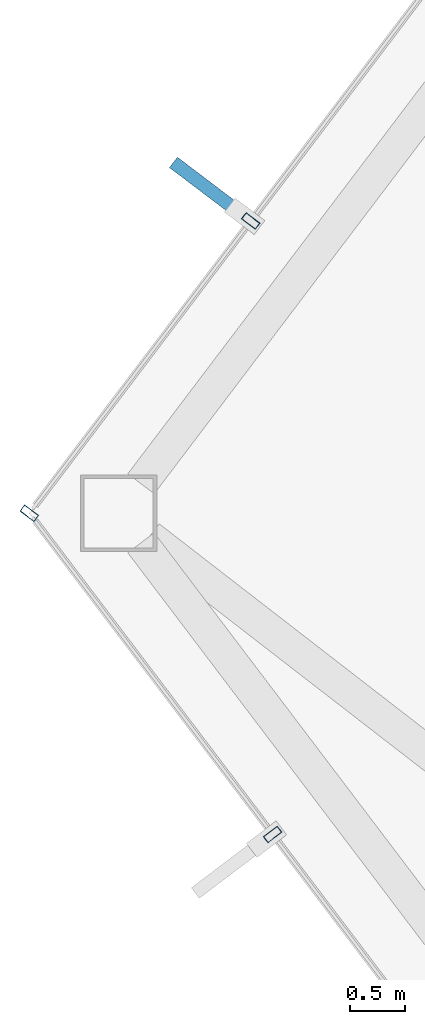
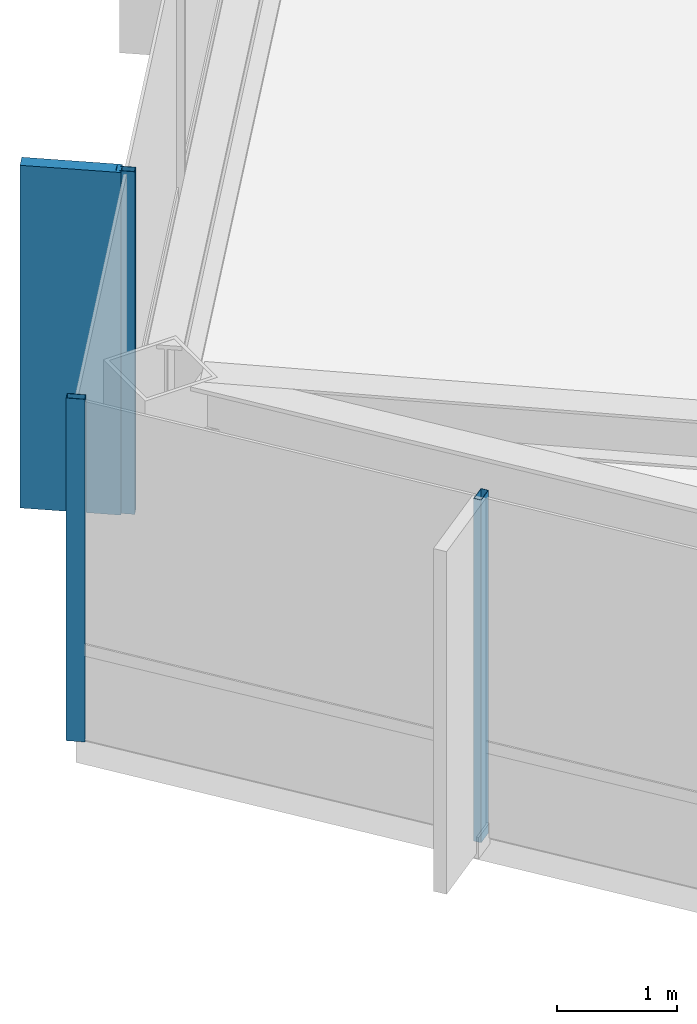
# One storey, part 10 of 28: 4 members, 2 elements without a shape of their own.
"""IFC4 building model written with IfcOpenShell, lengths in metres."""

from ifc_helpers import new_model, si_unit, direction, frame, origin, origin_2d, place, context, subcontext, project, spatial, rectangle, hollow_rectangle, extrude, material, layer, layer_set, material_profile, profile_set, type_object, element, aggregate, save


model = new_model("IFC4")

# Units and contexts
model_context = context("Model", 3, precision=1e-05, world=origin(), true_north=direction((0.0, 1.0)))
body_context = subcontext(model_context, "Body", "Model", "MODEL_VIEW")
ifc_project = project(units=[si_unit("LENGTHUNIT", "METRE"), si_unit("AREAUNIT", "SQUARE_METRE"), si_unit("VOLUMEUNIT", "CUBIC_METRE"), si_unit("PLANEANGLEUNIT", "RADIAN"), si_unit("MASSUNIT", "GRAM", prefix="KILO")], contexts=[model_context])

# Site, building, storey
site_placement = place(None, origin())
site = spatial("IfcSite", under=ifc_project, at=site_placement, CompositionType="ELEMENT")
building_placement = place(site_placement, origin())
building = spatial("IfcBuilding", under=site, at=building_placement, Name="Zarrinselat Tower", CompositionType="ELEMENT")
storey_placement = place(building_placement, frame((0.0, 0.0, 168.300048828125)))
storey = spatial("IfcBuildingStorey", under=building, at=storey_placement, Name="L41", CompositionType="ELEMENT", Elevation=168.300048828125)

# Curtain wall, members
ifc_material_1 = material(Name="Extruded Aluminium Alloy EN AW-6063 T6", Category="aluminium")
ifc_layer = layer(ifc_material_1, 0.175048828125)
ifc_layer_set = layer_set([ifc_layer], Name="Extruded Aluminium Alloy EN AW-6063 T6")
curtain_wall_type = type_object("IfcCurtainWallType", Name="CWS-HTL", PredefinedType="NOTDEFINED", material=ifc_layer_set)
curtain_wall_1_placement = place(storey_placement, origin())
curtain_wall_1 = element("IfcCurtainWall", 1, at=curtain_wall_1_placement, inside=storey, type_object=curtain_wall_type, Name="L41 Unitised Curtain Wall CW-L41-E02", PredefinedType="NOTDEFINED")
ifc_material_2 = material(Name="Extruded Aluminium Alloy EN AW-6063 T6", Category="aluminium")
ifc_material_profile_1 = material_profile(ifc_material_2, hollow_rectangle(XDim=0.070068359375, YDim=0.159912109375, WallThickness=0.00390625, at=origin_2d()), Name="RHS 160x70x4")
ifc_profile_set_1 = profile_set([ifc_material_profile_1], Name="Extruded Aluminium Alloy EN AW-6063 T6")
member_type_1 = type_object("IfcMemberType", Name="MEM-CW-MUL2", PredefinedType="MULLION", material=ifc_profile_set_1)
member_1_placement = place(storey_placement, frame((17.214111328125, 40.838134765625, 0.0), z_axis=(0.0, 0.0, 1.0), x_axis=(-0.603854523079, -0.797094545808, 0.0)))
member_1 = element("IfcMember", 2, at=member_1_placement, type_object=member_type_1, Name="CW-L41-E02 Mullion 3", PredefinedType="MULLION", context=body_context, shape_type="SweptSolid", body=[
    extrude(hollow_rectangle(XDim=0.070068359375, YDim=0.159912109375, WallThickness=0.00390625, at=origin_2d()), origin(), (0.0, 0.0, 1.0), 3.5),
])
member_2_placement = place(storey_placement, frame((15.19384765625, 38.171142578125, 0.0), z_axis=(0.0, 0.0, 1.0), x_axis=(-0.603854523079, -0.797094545808, 0.0)))
member_2 = element("IfcMember", 3, at=member_2_placement, type_object=member_type_1, Name="CW-L41-E02 Mullion 4", PredefinedType="MULLION", context=body_context, shape_type="SweptSolid", body=[
    extrude(hollow_rectangle(XDim=0.070068359375, YDim=0.159912109375, WallThickness=0.00390625, at=origin_2d()), origin(), (0.0, 0.0, 1.0), 3.5),
])

# Curtain wall, member
curtain_wall_2_placement = place(storey_placement, origin())
curtain_wall_2 = element("IfcCurtainWall", 4, at=curtain_wall_2_placement, inside=storey, type_object=curtain_wall_type, Name="L41 Unitised Curtain Wall CW-L41-E03", PredefinedType="NOTDEFINED")
member_3_placement = place(storey_placement, frame((17.414306640625, 35.239990234375, 0.0), z_axis=(0.0, 0.0, 1.0), x_axis=(0.603857987184, -0.797091921496, 0.0)))
member_3 = element("IfcMember", 5, at=member_3_placement, type_object=member_type_1, Name="CW-L41-E03 Mullion 1", PredefinedType="MULLION", context=body_context, shape_type="SweptSolid", body=[
    extrude(hollow_rectangle(XDim=0.070068359375, YDim=0.159912109375, WallThickness=0.00390625, at=origin_2d()), origin(), (0.0, 0.0, 1.0), 3.5),
])
aggregate(curtain_wall_2, [member_3])

# Member
ifc_material_3 = material(Name="Honed Cream Travertine Stone", Category="masonry")
ifc_material_profile_2 = material_profile(ifc_material_3, rectangle(XDim=0.1201171875, YDim=0.85009765625, at=origin_2d()), Name="FIN 850x120")
ifc_profile_set_2 = profile_set([ifc_material_profile_2], Name="Honed Cream Travertine Stone")
member_type_2 = type_object("IfcMemberType", Name="MEM-STONE-FIN", PredefinedType="USERDEFINED", material=ifc_profile_set_2)
member_4_placement = place(storey_placement, frame((16.847412109375, 41.115966796875, 0.0), z_axis=(0.0, 0.0, 1.0), x_axis=(0.603854523079, 0.797094545808, 0.0)))
member_4 = element("IfcMember", 6, at=member_4_placement, type_object=member_type_2, Name="L41 Stone Shading Fin CW-L41-E02-03", ObjectType="FIN", PredefinedType="USERDEFINED", context=body_context, shape_type="SweptSolid", body=[
    extrude(rectangle(XDim=0.1201171875, YDim=0.85009765625, at=origin_2d()), origin(), (0.0, 0.0, 1.0), 3.5),
])

aggregate(curtain_wall_1, [member_1, member_4, member_2])

save(model, "model.ifc")
